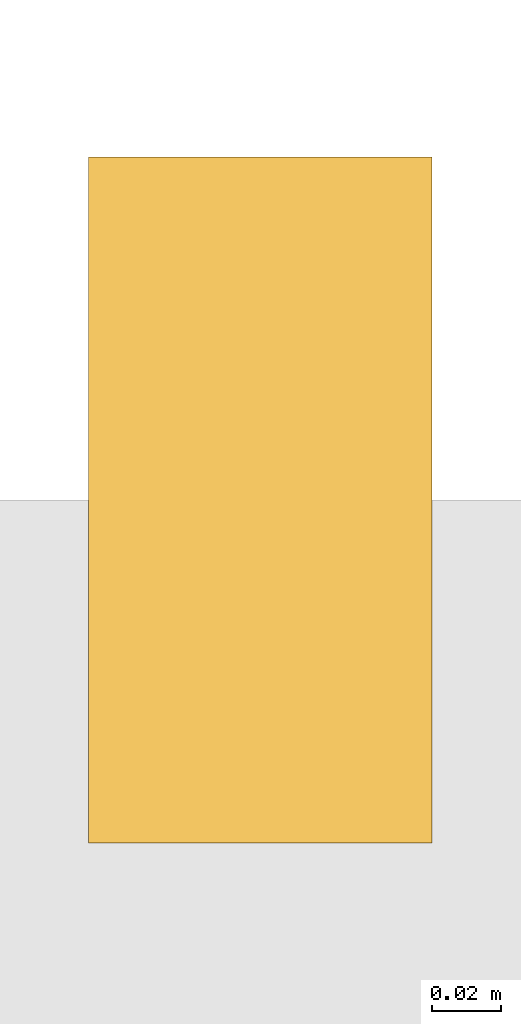
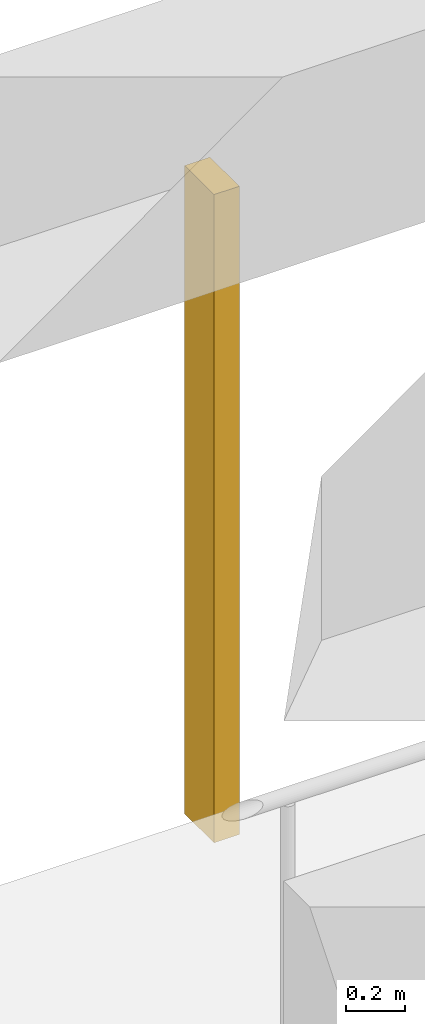
# One storey, part 14 of 20: 1 shading device.
"""IFC4 building model written with IfcOpenShell, lengths in metres."""

from ifc_helpers import new_model, si_unit, direction, frame, origin, origin_2d, place, context, subcontext, project, spatial, rectangle, extrude, material, material_profile, profile_set, type_object, element, save


model = new_model("IFC4")

# Units and contexts
model_context = context("Model", 3, precision=1e-05, world=origin(), true_north=direction((0.0, 1.0)))
body_context = subcontext(model_context, "Body", "Model", "MODEL_VIEW")
ifc_project = project(units=[si_unit("LENGTHUNIT", "METRE"), si_unit("AREAUNIT", "SQUARE_METRE"), si_unit("VOLUMEUNIT", "CUBIC_METRE"), si_unit("PLANEANGLEUNIT", "RADIAN"), si_unit("MASSUNIT", "GRAM", prefix="KILO")], contexts=[model_context])

# Site, building, storey
site_placement = place(None, origin())
site = spatial("IfcSite", under=ifc_project, at=site_placement, CompositionType="ELEMENT")
building_placement = place(site_placement, origin())
building = spatial("IfcBuilding", under=site, at=building_placement, Name="Vermilion Gate Residences", CompositionType="ELEMENT")
storey_placement = place(building_placement, frame((0.0, 0.0, 39.199951171875)))
storey = spatial("IfcBuildingStorey", under=building, at=storey_placement, Name="L08", CompositionType="ELEMENT", Elevation=39.199951171875)

# Shading device
ifc_material = material(Name="Extruded terracotta", Category="masonry")
ifc_material_profile = material_profile(ifc_material, rectangle(XDim=0.199951171875, YDim=0.10009765625, at=origin_2d()), Name="BAGUETTE 100 X 200")
ifc_profile_set = profile_set([ifc_material_profile], Name="Extruded terracotta")
shading_device_type = type_object("IfcShadingDeviceType", Name="TERRACOTTA BAGUETTE 100 X 200", PredefinedType="JALOUSIE", material=ifc_profile_set)
shading_device_placement = place(storey_placement, frame((63.0, 25.5, -0.280029296875), z_axis=(0.0, 0.0, 1.0), x_axis=(0.0, -1.0, 0.0)))
element("IfcShadingDevice", 1, at=shading_device_placement, inside=storey, type_object=shading_device_type, Name="BAGUETTE", PredefinedType="JALOUSIE", context=body_context, shape_type="SweptSolid", body=[
    extrude(rectangle(XDim=0.199951171875, YDim=0.10009765625, at=origin_2d()), origin(), (0.0, 0.0, 1.0), 2.7001953125),
])

save(model, "model.ifc")
